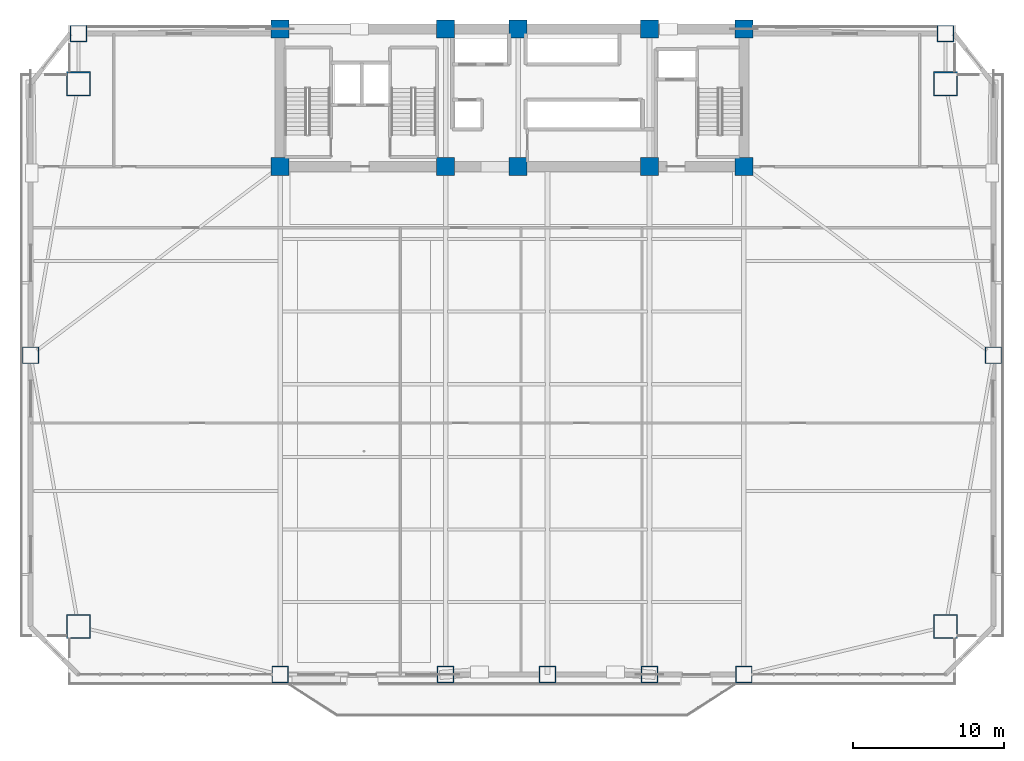
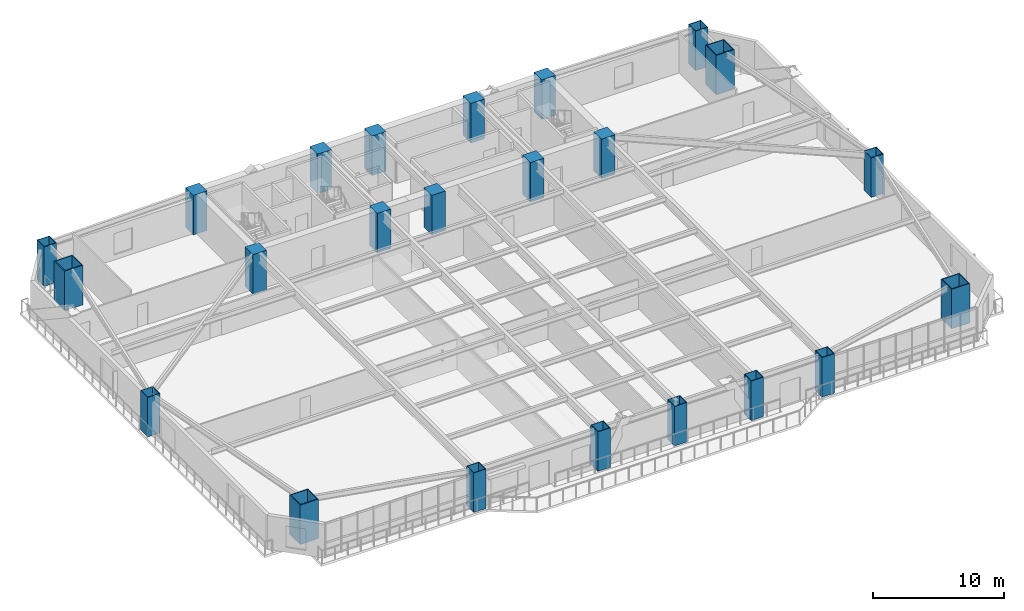
# One storey, part 1 of 17: 23 columns.
"""IFC4 building model written with IfcOpenShell, lengths in metres."""

from ifc_helpers import new_model, si_unit, direction, frame, origin, origin_2d, place, context, subcontext, project, spatial, rectangle, hollow_rectangle, extrude, source, transform, mapped, material, material_profile, profile_set, type_object, element, save


model = new_model("IFC4")

# Units and contexts
model_context = context("Model", 3, precision=1e-05, world=origin(), true_north=direction((0.0, 1.0)))
body_context = subcontext(model_context, "Body", "Model", "MODEL_VIEW")
ifc_project = project(units=[si_unit("LENGTHUNIT", "METRE"), si_unit("AREAUNIT", "SQUARE_METRE"), si_unit("VOLUMEUNIT", "CUBIC_METRE"), si_unit("PLANEANGLEUNIT", "RADIAN"), si_unit("MASSUNIT", "GRAM", prefix="KILO")], contexts=[model_context])

# Site, building, storey
site_placement = place(None, origin())
site = spatial("IfcSite", under=ifc_project, at=site_placement, CompositionType="ELEMENT")
building_placement = place(site_placement, origin())
building = spatial("IfcBuilding", under=site, at=building_placement, Name="Giltprow Tower", CompositionType="ELEMENT")
storey_placement = place(building_placement, frame((0.0, 0.0, 37.10009765625)))
storey = spatial("IfcBuildingStorey", under=building, at=storey_placement, Name="L09", CompositionType="ELEMENT", Elevation=37.10009765625)

# Columns
ifc_material_1 = material(Name="Concrete C60", Category="concrete")
ifc_material_profile_1 = material_profile(ifc_material_1, rectangle(XDim=1.199951171875, YDim=1.199951171875, at=origin_2d()), Name="RC 1200x1200")
ifc_profile_set_1 = profile_set([ifc_material_profile_1], Name="Concrete C60")
column_type_1 = type_object("IfcColumnType", Name="PIL-RC-1200-C60", PredefinedType="PILASTER", material=ifc_profile_set_1)
shared_shape_1 = source(origin(), body_context, "Body", "SweptSolid", [
    extrude(rectangle(XDim=1.199951171875, YDim=1.199951171875, at=origin_2d()), origin(), (0.0, 0.0, 1.0), 3.679931640625),
])
for number, where, z_axis, x_axis, name in (
    (1, (19.85009765625, 37.449951171875, 0.0), (0.0, 0.0, 1.0), (1.0, 0.0, 0.0), "L09 Core Boundary Pilaster 1-1"),
    (2, (19.85009765625, 46.550048828125, 0.0), (0.0, 0.0, 1.0), (1.0, 0.0, 0.0), "L09 Core Boundary Pilaster 1-2"),
    (3, (30.800048828125, 37.449951171875, 0.0), (0.0, 0.0, 1.0), (1.0, 0.0, 0.0), "L09 Core Boundary Pilaster 2-1"),
    (4, (30.800048828125, 46.550048828125, 0.0), (0.0, 0.0, 1.0), (1.0, 0.0, 0.0), "L09 Core Boundary Pilaster 2-2"),
    (5, (35.60009765625, 37.449951171875, 0.0), (0.0, 0.0, 1.0), (1.0, 0.0, 0.0), "L09 Core Boundary Pilaster 3-1"),
    (6, (35.60009765625, 46.550048828125, 0.0), (0.0, 0.0, 1.0), (1.0, 0.0, 0.0), "L09 Core Boundary Pilaster 3-2"),
    (7, (44.300048828125, 37.449951171875, 0.0), (0.0, 0.0, 1.0), (1.0, 0.0, 0.0), "L09 Core Boundary Pilaster 4-1"),
    (8, (44.300048828125, 46.550048828125, 0.0), (0.0, 0.0, 1.0), (1.0, 0.0, 0.0), "L09 Core Boundary Pilaster 4-2"),
    (9, (50.550048828125, 37.449951171875, 0.0), (0.0, 0.0, 1.0), (1.0, 0.0, 0.0), "L09 Core Boundary Pilaster 5-1"),
    (10, (50.550048828125, 46.550048828125, 0.0), (0.0, 0.0, 1.0), (1.0, 0.0, 0.0), "L09 Core Boundary Pilaster 5-2"),
):
    element("IfcColumn", number, at=place(storey_placement, frame(where, z_axis=z_axis, x_axis=x_axis)), inside=storey, type_object=column_type_1, Name=name, PredefinedType="PILASTER", context=body_context, shape_type="MappedRepresentation", body=[
        mapped(shared_shape_1, transform((0.0, 0.0, 0.0), x_axis=(1.0, 0.0, 0.0), y_axis=(0.0, 1.0, 0.0), z_axis=(0.0, 0.0, 1.0), scale=1.0)),
    ])
ifc_material_2 = material(Name="Structural steel Q420GJC", Category="steel")
ifc_material_profile_2 = material_profile(ifc_material_2, hollow_rectangle(XDim=1.60009765625, YDim=1.60009765625, WallThickness=0.074951171875, at=origin_2d()), Name="BOX 1600x1600x75")
ifc_profile_set_2 = profile_set([ifc_material_profile_2], Name="Structural steel Q420GJC")
column_type_2 = type_object("IfcColumnType", Name="COL-BOX-1600x1600x75", PredefinedType="COLUMN", material=ifc_profile_set_2)
shared_shape_2 = source(origin(), body_context, "Body", "SweptSolid", [
    extrude(hollow_rectangle(XDim=1.60009765625, YDim=1.60009765625, WallThickness=0.074951171875, at=origin_2d()), origin(), (0.0, 0.0, 1.0), 3.679931640625),
])
for number, where, z_axis, x_axis, name in (
    (11, (6.509033203125, 7.0009765625, 0.0), (0.0, 0.0, 1.0), (1.0, 0.0, 0.0), "L09 Mega-Column MC_SW"),
    (12, (63.89111328125, 7.0009765625, 0.0), (0.0, 0.0, 1.0), (1.0, 0.0, 0.0), "L09 Mega-Column MC_SE"),
    (13, (6.509033203125, 42.926025390625, 0.0), (0.0, 0.0, 1.0), (1.0, 0.0, 0.0), "L09 Mega-Column MC_NW"),
    (14, (63.89111328125, 42.926025390625, 0.0), (0.0, 0.0, 1.0), (1.0, 0.0, 0.0), "L09 Mega-Column MC_NE"),
):
    element("IfcColumn", number, at=place(storey_placement, frame(where, z_axis=z_axis, x_axis=x_axis)), inside=storey, type_object=column_type_2, Name=name, PredefinedType="COLUMN", context=body_context, shape_type="MappedRepresentation", body=[
        mapped(shared_shape_2, transform((0.0, 0.0, 0.0), x_axis=(1.0, 0.0, 0.0), y_axis=(0.0, 1.0, 0.0), z_axis=(0.0, 0.0, 1.0), scale=1.0)),
    ])
ifc_material_profile_3 = material_profile(ifc_material_2, hollow_rectangle(XDim=1.10009765625, YDim=1.10009765625, WallThickness=0.050048828125, at=origin_2d()), Name="BOX 1100x1100x50")
ifc_profile_set_3 = profile_set([ifc_material_profile_3], Name="Structural steel Q420GJC")
column_type_3 = type_object("IfcColumnType", Name="COL-BOX-1100x1100x50", PredefinedType="COLUMN", material=ifc_profile_set_3)
shared_shape_3 = source(origin(), body_context, "Body", "SweptSolid", [
    extrude(hollow_rectangle(XDim=1.10009765625, YDim=1.10009765625, WallThickness=0.050048828125, at=origin_2d()), origin(), (0.0, 0.0, 1.0), 3.679931640625),
])
for number, where, z_axis, x_axis, name in (
    (15, (19.85009765625, 3.826904296875, 0.0), (0.0, 0.0, 1.0), (1.0, 0.0, 0.0), "L09 Perimeter Column S1"),
    (16, (30.800048828125, 3.826904296875, 0.0), (0.0, 0.0, 1.0), (1.0, 0.0, 0.0), "L09 Perimeter Column S2"),
    (17, (37.550048828125, 3.826904296875, 0.0), (0.0, 0.0, 1.0), (1.0, 0.0, 0.0), "L09 Perimeter Column S_MID"),
    (18, (44.300048828125, 3.826904296875, 0.0), (0.0, 0.0, 1.0), (1.0, 0.0, 0.0), "L09 Perimeter Column S3"),
    (19, (50.550048828125, 3.826904296875, 0.0), (0.0, 0.0, 1.0), (1.0, 0.0, 0.0), "L09 Perimeter Column S4"),
    (20, (3.3349609375, 24.962890625, 0.0), (0.0, 0.0, 1.0), (1.0, 0.0, 0.0), "L09 Perimeter Column W_MID"),
    (21, (67.06494140625, 24.962890625, 0.0), (0.0, 0.0, 1.0), (1.0, 0.0, 0.0), "L09 Perimeter Column E_MID"),
    (22, (6.509033203125, 46.25, 0.0), (0.0, 0.0, 1.0), (1.0, 0.0, 0.0), "L09 Perimeter Column N_W"),
    (23, (63.89111328125, 46.25, 0.0), (0.0, 0.0, 1.0), (1.0, 0.0, 0.0), "L09 Perimeter Column N_E"),
):
    element("IfcColumn", number, at=place(storey_placement, frame(where, z_axis=z_axis, x_axis=x_axis)), inside=storey, type_object=column_type_3, Name=name, PredefinedType="COLUMN", context=body_context, shape_type="MappedRepresentation", body=[
        mapped(shared_shape_3, transform((0.0, 0.0, 0.0), x_axis=(1.0, 0.0, 0.0), y_axis=(0.0, 1.0, 0.0), z_axis=(0.0, 0.0, 1.0), scale=1.0)),
    ])

save(model, "model.ifc")
